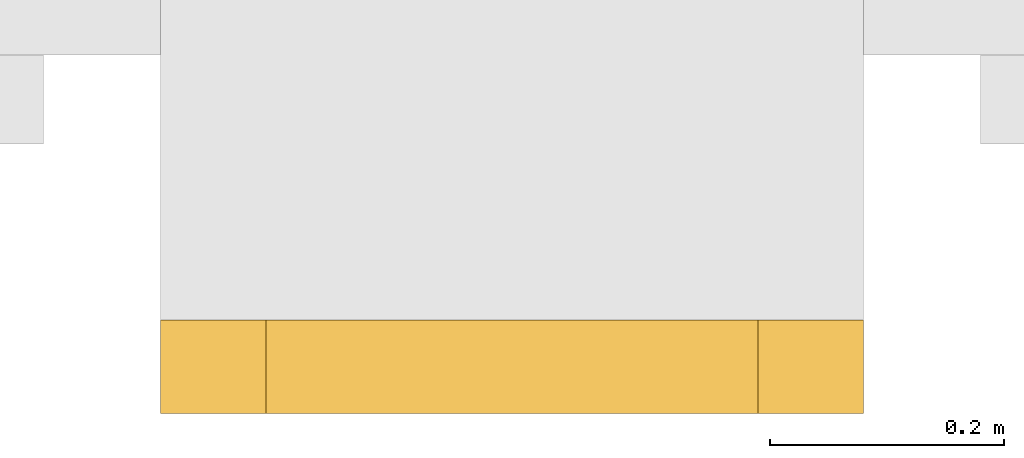
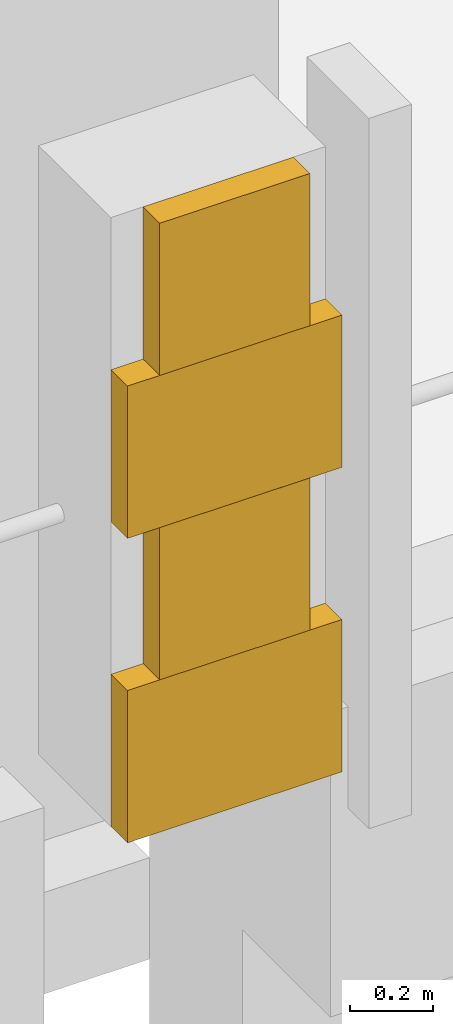
# One storey, part 68 of 71: 4 coverings.
"""IFC4 building model written with IfcOpenShell, lengths in metres."""

from ifc_helpers import new_model, si_unit, direction, frame, origin, place, context, subcontext, project, spatial, polyline, outline, extrude, material, layer, layer_set, type_object, element, save


model = new_model("IFC4")

# Units and contexts
model_context = context("Model", 3, precision=1e-05, world=origin(), true_north=direction((0.0, 1.0)))
body_context = subcontext(model_context, "Body", "Model", "MODEL_VIEW")
ifc_project = project(units=[si_unit("LENGTHUNIT", "METRE"), si_unit("AREAUNIT", "SQUARE_METRE"), si_unit("VOLUMEUNIT", "CUBIC_METRE"), si_unit("PLANEANGLEUNIT", "RADIAN"), si_unit("MASSUNIT", "GRAM", prefix="KILO")], contexts=[model_context])

# Site, building, storey
site_placement = place(None, origin())
site = spatial("IfcSite", under=ifc_project, at=site_placement, CompositionType="ELEMENT")
building_placement = place(site_placement, origin())
building = spatial("IfcBuilding", under=site, at=building_placement, Name="Cour d'Honneur Mobility Palace", CompositionType="ELEMENT")
storey_placement = place(building_placement, frame((0.0, 0.0, 15.60009765625)))
storey = spatial("IfcBuildingStorey", under=building, at=storey_placement, Name="L04", CompositionType="ELEMENT", Elevation=15.60009765625)

# Coverings
ifc_material = material(Name="Cast limestone", Category="masonry")
ifc_layer = layer(ifc_material, 0.080078125)
ifc_layer_set = layer_set([ifc_layer], Name="Cast limestone")
covering_type = type_object("IfcCoveringType", Name="Quoin block", PredefinedType="CLADDING", material=ifc_layer_set)
covering_1_placement = place(storey_placement, frame((0.0, 0.0, 0.2998046875)))
element("IfcCovering", 1, at=covering_1_placement, inside=storey, type_object=covering_type, Name="Quoin block QN-29", PredefinedType="CLADDING", context=body_context, shape_type="SweptSolid", body=[
    extrude(outline(polyline([(153.300048828125, -0.800048828125), (153.89990234375, -0.800048828125), (153.89990234375, -0.8798828125), (153.300048828125, -0.8798828125), (153.300048828125, -0.800048828125)])), origin(), (0.0, 0.0, 1.0), 0.4501953125),
])
covering_2_placement = place(storey_placement, frame((0.0, 0.0, 0.75)))
element("IfcCovering", 2, at=covering_2_placement, inside=storey, type_object=covering_type, Name="Quoin block QN-30", PredefinedType="CLADDING", context=body_context, shape_type="SweptSolid", body=[
    extrude(outline(polyline([(153.389892578125, -0.800048828125), (153.81005859375, -0.800048828125), (153.81005859375, -0.8798828125), (153.389892578125, -0.8798828125), (153.389892578125, -0.800048828125)])), origin(), (0.0, 0.0, 1.0), 0.449951171875),
])
covering_3_placement = place(storey_placement, frame((0.0, 0.0, 1.199951171875)))
element("IfcCovering", 3, at=covering_3_placement, inside=storey, type_object=covering_type, Name="Quoin block QN-31", PredefinedType="CLADDING", context=body_context, shape_type="SweptSolid", body=[
    extrude(outline(polyline([(153.300048828125, -0.800048828125), (153.89990234375, -0.800048828125), (153.89990234375, -0.8798828125), (153.300048828125, -0.8798828125), (153.300048828125, -0.800048828125)])), origin(), (0.0, 0.0, 1.0), 0.449951171875),
])
covering_4_placement = place(storey_placement, frame((0.0, 0.0, 1.64990234375)))
element("IfcCovering", 4, at=covering_4_placement, inside=storey, type_object=covering_type, Name="Quoin block QN-32", PredefinedType="CLADDING", context=body_context, shape_type="SweptSolid", body=[
    extrude(outline(polyline([(153.389892578125, -0.800048828125), (153.81005859375, -0.800048828125), (153.81005859375, -0.8798828125), (153.389892578125, -0.8798828125), (153.389892578125, -0.800048828125)])), origin(), (0.0, 0.0, 1.0), 0.449951171875),
])

save(model, "model.ifc")
